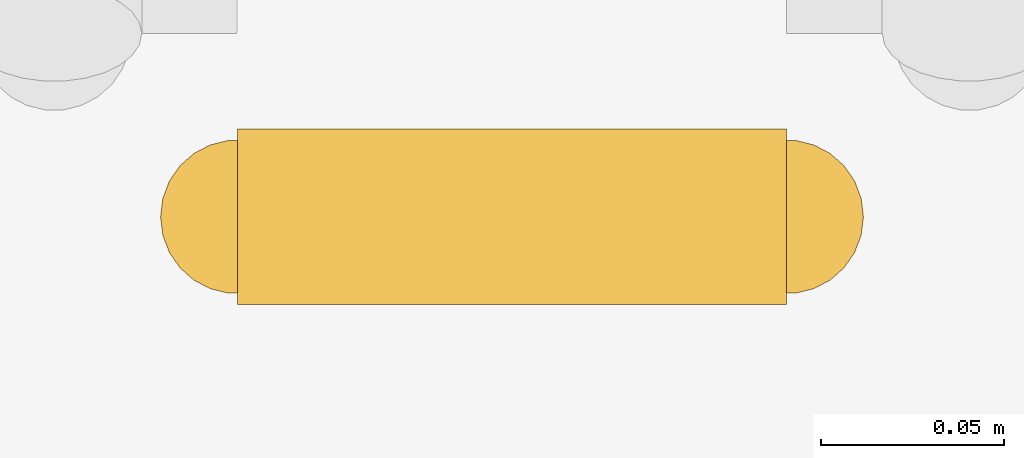
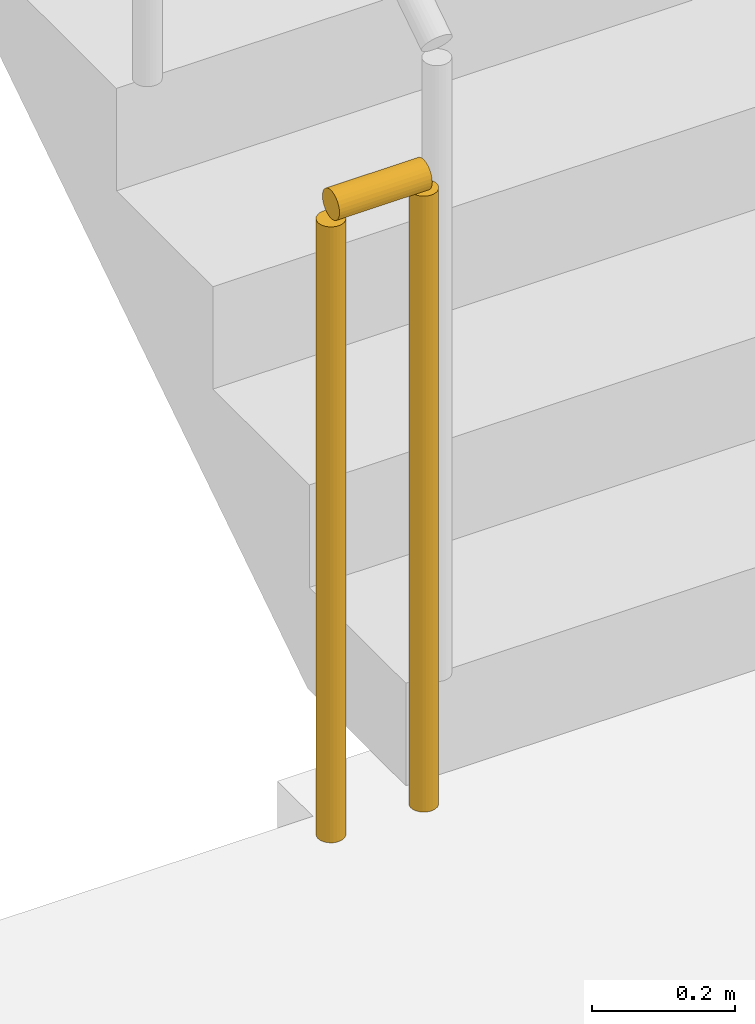
# One storey, part 14 of 19: 1 railing.
"""IFC4 building model written with IfcOpenShell, lengths in metres."""

from ifc_helpers import new_model, si_unit, direction, frame, origin, origin_2d, place, context, subcontext, project, spatial, circle, extrude, material, type_object, element, save


model = new_model("IFC4")

# Units and contexts
model_context = context("Model", 3, precision=1e-05, world=origin(), true_north=direction((0.0, 1.0)))
body_context = subcontext(model_context, "Body", "Model", "MODEL_VIEW")
ifc_project = project(units=[si_unit("LENGTHUNIT", "METRE"), si_unit("AREAUNIT", "SQUARE_METRE"), si_unit("VOLUMEUNIT", "CUBIC_METRE"), si_unit("PLANEANGLEUNIT", "RADIAN"), si_unit("MASSUNIT", "GRAM", prefix="KILO")], contexts=[model_context])

# Site, building, storey
site_placement = place(None, origin())
site = spatial("IfcSite", under=ifc_project, at=site_placement, CompositionType="ELEMENT")
building_placement = place(site_placement, origin())
building = spatial("IfcBuilding", under=site, at=building_placement, Name="Saffron Iwan Residences", CompositionType="ELEMENT")
storey_placement = place(building_placement, frame((0.0, 0.0, 222.0)))
storey = spatial("IfcBuildingStorey", under=building, at=storey_placement, Name="L59", CompositionType="ELEMENT", Elevation=222.0)

# Railing
ifc_material = material(Name="Steel S355", Category="steel")
railing_type = type_object("IfcRailingType", Name="Stair guard 1100", PredefinedType="GUARDRAIL", material=ifc_material)
railing_placement = place(storey_placement, frame((31.25, 67.800048828125, 0.0)))
element("IfcRailing", 1, at=railing_placement, inside=storey, type_object=railing_type, Name="L59 ST-W stair guard 2", PredefinedType="GUARDRAIL", context=body_context, shape_type="SweptSolid", body=[
    extrude(circle(Radius=0.02392578125, at=origin_2d()), frame((0.0, 0.0, 1.076171875), z_axis=(-1.0, 0.0, 0.0), x_axis=(0.0, -1.0, 0.0)), (0.0, 0.0, 1.0), 0.14990234375),
    extrude(circle(Radius=0.02099609375, at=origin_2d()), origin(), (0.0, 0.0, 1.0), 1.052001953125),
    extrude(circle(Radius=0.02099609375, at=origin_2d()), frame((-0.14990234375, 0.0, 0.0)), (0.0, 0.0, 1.0), 1.052001953125),
])

save(model, "model.ifc")
